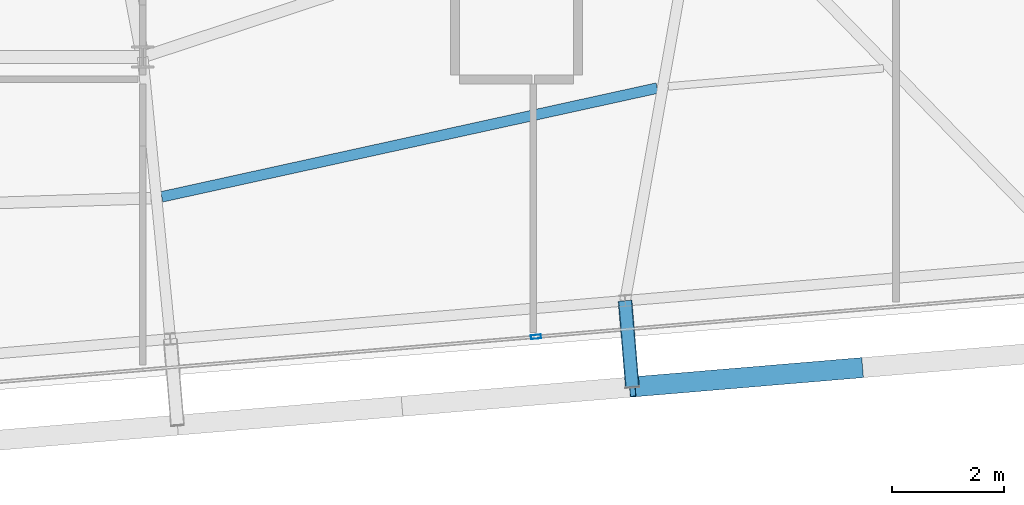
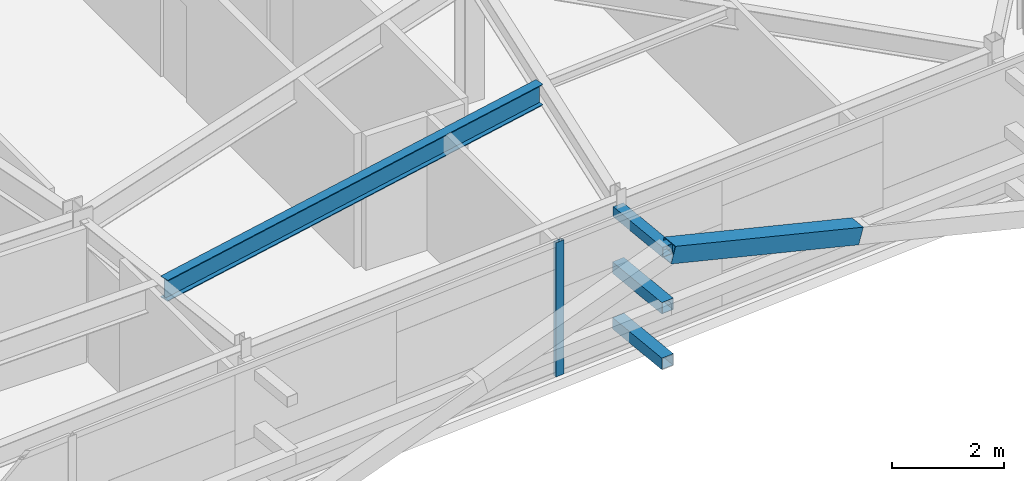
# One storey, part 16 of 39: 5 members, 1 beam, 1 element without a shape of its own.
"""IFC4 building model written with IfcOpenShell, lengths in metres."""

from ifc_helpers import new_model, si_unit, direction, frame, origin, origin_2d, place, context, subcontext, project, spatial, hollow_rectangle, i_section, extrude, source, transform, mapped, material, layer, layer_set, material_profile, profile_set, type_object, element, aggregate, save


model = new_model("IFC4")

# Units and contexts
model_context = context("Model", 3, precision=1e-05, world=origin(), true_north=direction((0.0, 1.0)))
body_context = subcontext(model_context, "Body", "Model", "MODEL_VIEW")
ifc_project = project(units=[si_unit("LENGTHUNIT", "METRE"), si_unit("AREAUNIT", "SQUARE_METRE"), si_unit("VOLUMEUNIT", "CUBIC_METRE"), si_unit("PLANEANGLEUNIT", "RADIAN"), si_unit("MASSUNIT", "GRAM", prefix="KILO")], contexts=[model_context])

# Site, building, storey
site_placement = place(None, origin())
site = spatial("IfcSite", under=ifc_project, at=site_placement, CompositionType="ELEMENT")
building_placement = place(site_placement, origin())
building = spatial("IfcBuilding", under=site, at=building_placement, Name="Taldren Reach Tower", CompositionType="ELEMENT")
storey_placement = place(building_placement, frame((0.0, 0.0, 175.699951171875)))
storey = spatial("IfcBuildingStorey", under=building, at=storey_placement, Name="L53", CompositionType="ELEMENT", Elevation=175.699951171875)

# Members
ifc_material_1 = material(Name="Steel Gr 350 (C350L0)", Category="steel")
ifc_material_profile_1 = material_profile(ifc_material_1, hollow_rectangle(XDim=0.25, YDim=0.25, WallThickness=0.010009765625, at=origin_2d()), Name="250x250x10.0SHS")
ifc_profile_set_1 = profile_set([ifc_material_profile_1], Name="Steel Gr 350 (C350L0)")
member_type_1 = type_object("IfcMemberType", Name="MB-POST250", PredefinedType="POST", material=ifc_profile_set_1)
shared_shape_1 = source(origin(), body_context, "Body", "SweptSolid", [
    extrude(hollow_rectangle(XDim=0.25, YDim=0.25, WallThickness=0.010009765625, at=origin_2d()), origin(), (0.0, 0.0, 1.0), 1.550048828125),
])
for number, where, z_axis, x_axis, name in (
    (1, (50.644775390625, 4.83203125, 0.219970703125), (0.083788408178, -0.996483568683, 0.0), (0.996483568683, 0.083788408178, 0.0), "Exoskeleton base diaphragm tie strut B4-S5 L53"),
    (2, (50.644775390625, 4.83203125, 1.43505859375), (0.083788408178, -0.996483568683, 0.0), (0.996483568683, 0.083788408178, 0.0), "Exoskeleton mid-tier diaphragm tie B4-S5 L53"),
):
    element("IfcMember", number, at=place(storey_placement, frame(where, z_axis=z_axis, x_axis=x_axis)), inside=storey, type_object=member_type_1, Name=name, PredefinedType="POST", context=body_context, shape_type="MappedRepresentation", body=[
        mapped(shared_shape_1, transform((0.0, 0.0, 0.0), scale=1.0)),
    ])

# Beam
ifc_material_2 = material(Name="Steel Gr 350 (350PLUS)", Category="steel")
ifc_material_profile_2 = material_profile(ifc_material_2, i_section(OverallWidth=0.19091796875, OverallDepth=0.4599609375, WebThickness=0.010009765625, FlangeThickness=0.01611328125, at=origin_2d()), Name="460UB82.1")
ifc_profile_set_2 = profile_set([ifc_material_profile_2], Name="Steel Gr 350 (350PLUS)")
beam_type = type_object("IfcBeamType", Name="BM-UB460A", PredefinedType="BEAM", material=ifc_profile_set_2)
shared_shape_2 = source(origin(), body_context, "Body", "SweptSolid", [
    extrude(i_section(OverallWidth=0.19091796875, OverallDepth=0.4599609375, WebThickness=0.010009765625, FlangeThickness=0.01611328125, at=origin_2d()), origin(), (0.0, 0.0, 1.0), 9.09228515625),
])
beam_placement = place(storey_placement, frame((42.3408203125, 6.6943359375, 2.699951171875), z_axis=(0.97674420602, 0.214407919647, 0.0), x_axis=(-0.214407919647, 0.97674420602, 0.0)))
element("IfcBeam", 3, at=beam_placement, inside=storey, type_object=beam_type, Name="Secondary floor beam B4 J4 L53", PredefinedType="BEAM", context=body_context, shape_type="MappedRepresentation", body=[
    mapped(shared_shape_2, transform((0.0, 0.0, 0.0), scale=1.0)),
])

# Members
ifc_material_3 = material(Name="Steel Gr 450 (C450L0)", Category="steel")
ifc_material_profile_3 = material_profile(ifc_material_3, hollow_rectangle(XDim=0.219970703125, YDim=0.219970703125, WallThickness=0.00830078125, at=origin_2d()), Name="220x220x8.2SHS")
ifc_profile_set_3 = profile_set([ifc_material_profile_3], Name="Steel Gr 450 (C450L0)")
member_type_2 = type_object("IfcMemberType", Name="MB-TIE219", PredefinedType="STRUT", material=ifc_profile_set_3)
shared_shape_3 = source(origin(), body_context, "Body", "SweptSolid", [
    extrude(hollow_rectangle(XDim=0.219970703125, YDim=0.219970703125, WallThickness=0.00830078125, at=origin_2d()), origin(), (0.0, 0.0, 1.0), 1.550048828125),
])
member_1_placement = place(storey_placement, frame((50.644775390625, 4.83203125, 2.650146484375), z_axis=(0.083788408178, -0.996483568683, 0.0), x_axis=(0.996483568683, 0.083788408178, 0.0)))
element("IfcMember", 4, at=member_1_placement, inside=storey, type_object=member_type_2, Name="Exoskeleton diaphragm tie strut B4-S5 L53", PredefinedType="STRUT", context=body_context, shape_type="MappedRepresentation", body=[
    mapped(shared_shape_3, transform((0.0, 0.0, 0.0), scale=1.0)),
])
ifc_material_profile_4 = material_profile(ifc_material_3, hollow_rectangle(XDim=0.360107421875, YDim=0.360107421875, WallThickness=0.0126953125, at=origin_2d()), Name="360x360x12.7SHS")
ifc_profile_set_4 = profile_set([ifc_material_profile_4], Name="Steel Gr 450 (C450L0)")
member_type_3 = type_object("IfcMemberType", Name="MB-EXO356", PredefinedType="BRACE", material=ifc_profile_set_4)
shared_shape_4 = source(origin(), body_context, "Body", "SweptSolid", [
    extrude(hollow_rectangle(XDim=0.360107421875, YDim=0.360107421875, WallThickness=0.0126953125, at=origin_2d()), origin(), (0.0, 0.0, 1.0), 4.2666015625),
])
member_2_placement = place(storey_placement, frame((54.850341796875, 3.629638671875, 1.43505859375), z_axis=(-0.955229159097, -0.080222312271, 0.284783486572), x_axis=(0.083687662192, -0.996492034688, 0.0)))
element("IfcMember", 5, at=member_2_placement, inside=storey, type_object=member_type_3, Name="Exoskeleton Diagrid Brace B4-S5 L53", PredefinedType="BRACE", context=body_context, shape_type="MappedRepresentation", body=[
    mapped(shared_shape_4, transform((0.0, 0.0, 0.0), scale=1.0)),
])

# Curtain wall, member
ifc_material_4 = material(Name="Aluminium and Low-E Glass Unitised System", Category="aluminium")
ifc_layer = layer(ifc_material_4, 0.159912109375)
ifc_layer_set = layer_set([ifc_layer], Name="Aluminium and Low-E Glass Unitised System")
curtain_wall_type = type_object("IfcCurtainWallType", Name="CW-SYS-5", PredefinedType="NOTDEFINED", material=ifc_layer_set)
curtain_wall_placement = place(storey_placement, origin())
curtain_wall = element("IfcCurtainWall", 6, at=curtain_wall_placement, inside=storey, type_object=curtain_wall_type, Name="Unitised curtain wall CW-L53-S", PredefinedType="NOTDEFINED")
ifc_material_5 = material(Name="Anodised Aluminium 6063-T6", Category="aluminium")
ifc_material_profile_5 = material_profile(ifc_material_5, hollow_rectangle(XDim=0.070068359375, YDim=0.179931640625, WallThickness=0.00390625, at=origin_2d()), Name="ALU-180x70x4RHS")
ifc_profile_set_5 = profile_set([ifc_material_profile_5], Name="Anodised Aluminium 6063-T6")
member_type_4 = type_object("IfcMemberType", Name="CW-MUL-180", PredefinedType="MULLION", material=ifc_profile_set_5)
shared_shape_5 = source(origin(), body_context, "Body", "SweptSolid", [
    extrude(hollow_rectangle(XDim=0.070068359375, YDim=0.179931640625, WallThickness=0.00390625, at=origin_2d()), origin(), (0.0, 0.0, 1.0), 2.929931640625),
])
member_3_placement = place(storey_placement, frame((49.04833984375, 4.18603515625, 0.0), z_axis=(0.0, 0.0, 1.0), x_axis=(-0.083677894865, 0.996492854922, 0.0)))
member_3 = element("IfcMember", 7, at=member_3_placement, type_object=member_type_4, Name="CW-5 mullion 4", PredefinedType="MULLION", context=body_context, shape_type="MappedRepresentation", body=[
    mapped(shared_shape_5, transform((0.0, 0.0, 0.0), scale=1.0)),
])
aggregate(curtain_wall, [member_3])

save(model, "model.ifc")
